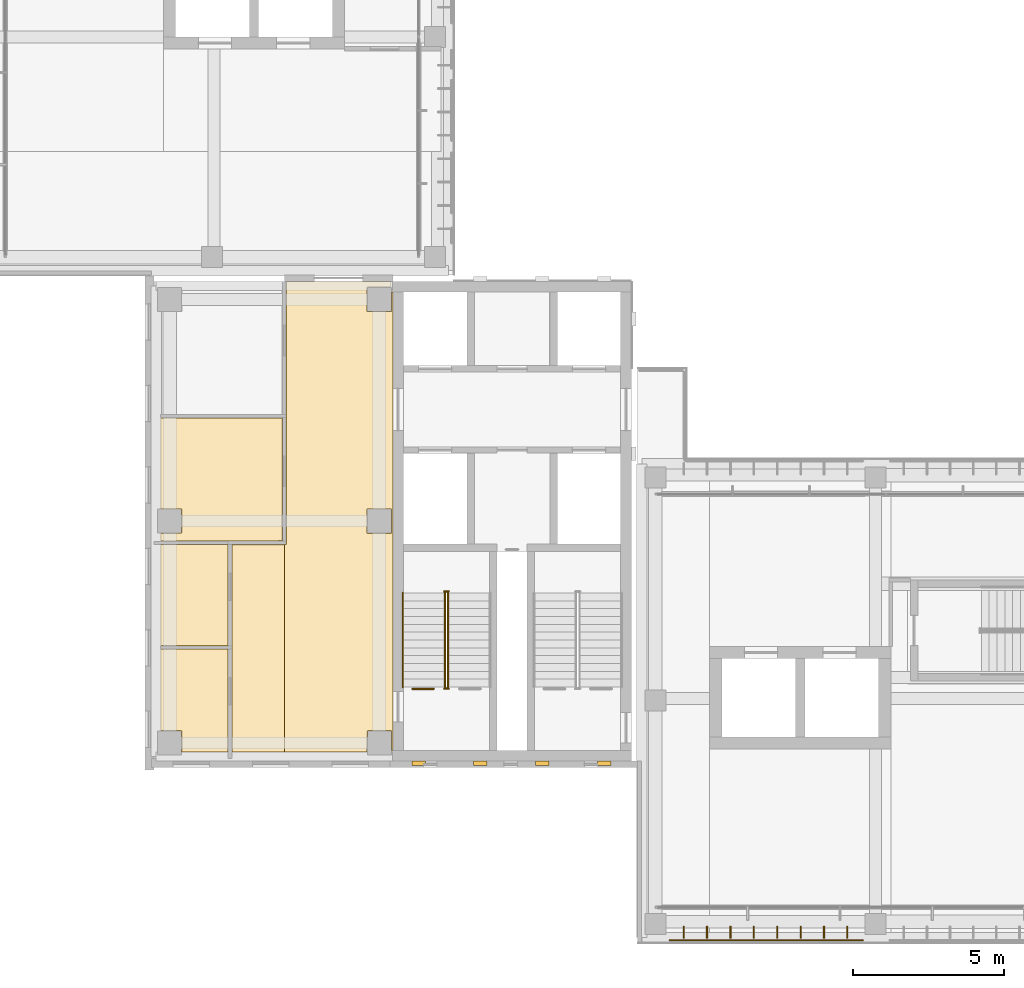
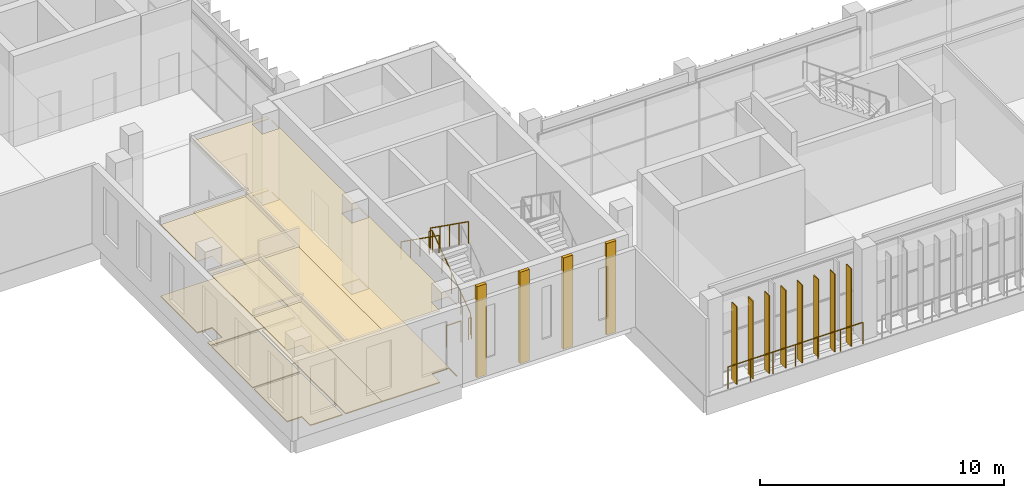
# One storey, part 30 of 46: 14 coverings, 8 shading devices, 7 railings.
"""IFC4 building model written with IfcOpenShell, lengths in metres."""

import ifcopenshell
import ifcopenshell.guid

model = None  # the IFC model being written
_history = None  # IfcOwnerHistory: only IFC2X3 demands one
_inside = {}  # id of a spatial element -> (the spatial element, [elements in it])
_under = {}  # id of a project, library or spatial element -> (it, [spatial elements below it])
_declared = {}  # id of a project -> (the project, [libraries it declares])
_typed = {}  # id of a type object -> (the type object, [elements of that type])
_made_of = {}  # id of a material, layer set ... -> (it, [elements and type objects made of it])


def new_model(schema):
    """Start an empty IFC model of exactly this schema.

    Asked for "IFC4X3", IfcOpenShell would pick the latest addendum, in which some entities
    have other attributes; the version numbers below select the first issue.
    IFC2X3 requires an IfcOwnerHistory on every rooted entity: one is made here for all.
    """
    global model, _history
    if schema == "IFC4X3":
        model = ifcopenshell.file(schema_version=(4, 3, 0, 0))
    else:
        model = ifcopenshell.file(schema=schema)
    _inside.clear()
    _under.clear()
    _declared.clear()
    _typed.clear()
    _made_of.clear()
    _history = None
    if model.schema == "IFC2X3":
        org = make("IfcOrganization", Name="unknown")
        user = make(
            "IfcPersonAndOrganization",
            ThePerson=make("IfcPerson", FamilyName="unknown"),
            TheOrganization=org,
        )
        app = make(
            "IfcApplication",
            ApplicationDeveloper=org,
            Version="unknown",
            ApplicationFullName="unknown",
            ApplicationIdentifier="unknown",
        )
        _history = make(
            "IfcOwnerHistory",
            OwningUser=user,
            OwningApplication=app,
            ChangeAction="ADDED",
            CreationDate=0,
        )
    return model


def make(cls, **values):
    """One entity of the class cls with the attributes given. An attribute that is None is left unset."""
    return model.create_entity(
        cls, **{name: value for name, value in values.items() if value is not None}
    )


def rooted(cls, **values):
    """An entity with a GlobalId (a new one), such as an element, a storey or a relation."""
    return make(cls, GlobalId=ifcopenshell.guid.new(), OwnerHistory=_history, **values)


def si_unit(unit_type, name, prefix=None):
    """IfcSIUnit, for example si_unit("LENGTHUNIT", "METRE", prefix="MILLI")."""
    return make("IfcSIUnit", UnitType=unit_type, Prefix=prefix, Name=name)


def assignment(units):
    """IfcUnitAssignment: the units of a project."""
    return None if units is None else make("IfcUnitAssignment", Units=units)


def point(xyz):
    """IfcCartesianPoint."""
    return None if xyz is None else make("IfcCartesianPoint", Coordinates=xyz)


def direction(xyz):
    """IfcDirection."""
    return None if xyz is None else make("IfcDirection", DirectionRatios=xyz)


def frame(location, z_axis=None, x_axis=None):
    """IfcAxis2Placement3D, a coordinate frame: its origin and axes. An axis left out is left unset."""
    return make(
        "IfcAxis2Placement3D",
        Location=point(location),
        Axis=direction(z_axis),
        RefDirection=direction(x_axis),
    )


def frame_2d(location, x_axis=None):
    """IfcAxis2Placement2D, a coordinate frame in the plane: its origin and x axis."""
    return make(
        "IfcAxis2Placement2D", Location=point(location), RefDirection=direction(x_axis)
    )


def origin():
    """The frame at (0, 0, 0) with its axes left unset."""
    return frame((0.0, 0.0, 0.0))


def origin_2d():
    """The frame at (0, 0) in the plane with its x axis left unset."""
    return frame_2d((0.0, 0.0))


def place(relative_to, where):
    """IfcLocalPlacement: puts the frame where relative to a parent placement (None: the world)."""
    return make(
        "IfcLocalPlacement", PlacementRelTo=relative_to, RelativePlacement=where
    )


def context(
    kind, dimensions, precision=None, world=None, true_north=None, identifier=None
):
    """IfcGeometricRepresentationContext, for example the 3D "Model" context."""
    return make(
        "IfcGeometricRepresentationContext",
        ContextIdentifier=identifier,
        ContextType=kind,
        CoordinateSpaceDimension=dimensions,
        Precision=precision,
        WorldCoordinateSystem=world,
        TrueNorth=true_north,
    )


def subcontext(parent, identifier, kind, view, scale=None):
    """IfcGeometricRepresentationSubContext, for example "Body" below "Model"."""
    return make(
        "IfcGeometricRepresentationSubContext",
        ContextIdentifier=identifier,
        ContextType=kind,
        ParentContext=parent,
        TargetScale=scale,
        TargetView=view,
    )


def project(units=None, contexts=None):
    """IfcProject with its units and contexts."""
    return rooted(
        "IfcProject",
        Name="project",
        RepresentationContexts=contexts,
        UnitsInContext=assignment(units),
    )


def spatial(cls, under=None, at=None, **own):
    """A site, building, storey or space (cls), placed at a placement, below another one or the project."""
    s = rooted(cls, ObjectPlacement=at, **own)
    if under is not None:
        _under.setdefault(under.id(), (under, []))[1].append(s)
    return s


def polyline(points):
    """IfcPolyline through the points."""
    return make("IfcPolyline", Points=[point(p) for p in points])


def profile(cls, at=None, kind="AREA", **sizes):
    """A parametric profile (cls). Its sizes go by their IFC names, for example OverallWidth=200.0."""
    return make(cls, ProfileType=kind, Position=at, **sizes)


def rectangle(**sizes):
    """IfcRectangleProfileDef."""
    return profile("IfcRectangleProfileDef", **sizes)


def circle(**sizes):
    """IfcCircleProfileDef."""
    return profile("IfcCircleProfileDef", **sizes)


def outline(outer, holes=None, kind="AREA"):
    """IfcArbitraryClosedProfileDef: a profile drawn as a closed curve; with holes, ...WithVoids."""
    if holes is None:
        return make("IfcArbitraryClosedProfileDef", ProfileType=kind, OuterCurve=outer)
    return make(
        "IfcArbitraryProfileDefWithVoids",
        ProfileType=kind,
        OuterCurve=outer,
        InnerCurves=holes,
    )


def extrude(swept, where, along, depth):
    """IfcExtrudedAreaSolid: the profile swept, set in the frame where, extruded along a direction by depth."""
    return make(
        "IfcExtrudedAreaSolid",
        SweptArea=swept,
        Position=where,
        ExtrudedDirection=direction(along),
        Depth=depth,
    )


def shape(context_of_items, identifier, shape_type, items):
    """IfcShapeRepresentation: the items that make up one representation, for example the "Body"."""
    return make(
        "IfcShapeRepresentation",
        ContextOfItems=context_of_items,
        RepresentationIdentifier=identifier,
        RepresentationType=shape_type,
        Items=items,
    )


def material(Name=None, Category=None):
    """IfcMaterial."""
    return make("IfcMaterial", Name=Name, Category=Category)


def layer(
    of_material, thickness, ventilated=None, Name=None, Category=None, Priority=None
):
    """IfcMaterialLayer: one layer of a wall or slab, of a material (None: an air gap)."""
    return make(
        "IfcMaterialLayer",
        Material=of_material,
        LayerThickness=thickness,
        IsVentilated=ventilated,
        Name=Name,
        Category=Category,
        Priority=Priority,
    )


def layer_set(layers, Name=None):
    """IfcMaterialLayerSet."""
    return make("IfcMaterialLayerSet", MaterialLayers=layers, LayerSetName=Name)


def made_of(thing, what):
    """Note that an element or type object is made of a material, layer set ...; save() writes the relation."""
    if what is not None:
        _made_of.setdefault(what.id(), (what, []))[1].append(thing)
    return thing


def type_object(cls, material=None, **own):
    """A type object (cls), such as IfcWallType, which elements share."""
    return made_of(rooted(cls, **own), material)


def element(
    cls,
    number,
    at=None,
    inside=None,
    cuts=None,
    type_object=None,
    material=None,
    context=None,
    identifier="Body",
    shape_type=None,
    held_by="IfcProductDefinitionShape",
    body=None,
    shapes=None,
    **own,
):
    """One element of the class cls, such as IfcWall. Its Tag is "e" and its number.

    at: its placement. inside: the storey or other place that contains it. cuts: it is an
    opening in that element (IfcRelVoidsElement). A single representation is given by context,
    identifier, shape_type and body (its items); several are given by shapes. held_by: the class
    of the entity that holds the representations. save() writes the other relations.
    """
    e = rooted(cls, Tag="e%d" % number, ObjectPlacement=at, **own)
    if body is not None:
        shapes = [shape(context, identifier, shape_type, body)]
    if shapes is not None:
        e.Representation = make(held_by, Representations=shapes)
    if inside is not None:
        _inside.setdefault(inside.id(), (inside, []))[1].append(e)
    if cuts is not None:
        rooted(
            "IfcRelVoidsElement", RelatingBuildingElement=cuts, RelatedOpeningElement=e
        )
    if type_object is not None:
        _typed.setdefault(type_object.id(), (type_object, []))[1].append(e)
    return made_of(e, material)


def aggregate(whole, parts):
    """IfcRelAggregates: a whole, such as a stair, and the parts it consists of."""
    return rooted("IfcRelAggregates", RelatingObject=whole, RelatedObjects=parts)


def save(model, path):
    """Write the relations noted so far, then the file.

    IfcRelAggregates (storeys below a building ...), IfcRelContainedInSpatialStructure (elements
    in a storey), IfcRelDefinesByType, IfcRelAssociatesMaterial and IfcRelDeclares: one each for
    every whole, place, type object, material and project.
    """
    for whole, parts in _under.values():
        aggregate(whole, parts)
    for where, things in _inside.values():
        rooted(
            "IfcRelContainedInSpatialStructure",
            RelatedElements=things,
            RelatingStructure=where,
        )
    for kind, things in _typed.values():
        rooted("IfcRelDefinesByType", RelatedObjects=things, RelatingType=kind)
    for what, things in _made_of.values():
        rooted("IfcRelAssociatesMaterial", RelatedObjects=things, RelatingMaterial=what)
    for by, libraries in _declared.values():
        rooted("IfcRelDeclares", RelatingContext=by, RelatedDefinitions=libraries)
    model.write(path)


model = new_model("IFC4")

# Units and contexts
model_context = context("Model", 3, precision=1e-05, world=origin(), true_north=direction((0.0, 1.0)))
body_context = subcontext(model_context, "Body", "Model", "MODEL_VIEW")
ifc_project = project(units=[si_unit("LENGTHUNIT", "METRE"), si_unit("AREAUNIT", "SQUARE_METRE"), si_unit("VOLUMEUNIT", "CUBIC_METRE"), si_unit("PLANEANGLEUNIT", "RADIAN"), si_unit("MASSUNIT", "GRAM", prefix="KILO")], contexts=[model_context])

# Site, building, storey
site_placement = place(None, origin())
site = spatial("IfcSite", under=ifc_project, at=site_placement, CompositionType="ELEMENT")
building_placement = place(site_placement, origin())
building = spatial("IfcBuilding", under=site, at=building_placement, Name="Lantern Court Media Centre", CompositionType="ELEMENT")
storey_placement = place(building_placement, frame((0.0, 0.0, 28.800048828125)))
storey = spatial("IfcBuildingStorey", under=building, at=storey_placement, Name="L06", CompositionType="ELEMENT", Elevation=28.800048828125)

# Coverings
ifc_material_1 = material(Name="Carpet")
ifc_layer_1 = layer(ifc_material_1, 0.050048828125)
ifc_layer_set_1 = layer_set([ifc_layer_1], Name="Carpet")
covering_type_1 = type_object("IfcCoveringType", Name="Carpet floor finish", PredefinedType="FLOORING", material=ifc_layer_set_1)
covering_1_placement = place(storey_placement, origin())
element("IfcCovering", 1, at=covering_1_placement, inside=storey, type_object=covering_type_1, Name="Meeting Room 02 floor finish", PredefinedType="FLOORING", context=body_context, shape_type="SweptSolid", body=[
    extrude(outline(polyline([(8.300048828125, 59.3720703125), (12.33251953125, 59.3720703125), (12.33251953125, 55.300537109375), (8.300048828125, 55.2880859375), (8.300048828125, 55.544921875), (9.0048828125, 55.550048828125), (9.00390625, 56.353271484375), (8.300048828125, 56.35498046875), (8.300048828125, 59.3720703125)])), origin(), (0.0, 0.0, 1.0), 0.050048828125),
])
covering_2_placement = place(storey_placement, origin())
element("IfcCovering", 2, at=covering_2_placement, inside=storey, type_object=covering_type_1, Name="WC Male floor finish", PredefinedType="FLOORING", context=body_context, shape_type="SweptSolid", body=[
    extrude(outline(polyline([(8.300048828125, 51.7119140625), (10.532470703125, 51.7119140625), (10.532470703125, 48.300048828125), (9.0048828125, 48.300048828125), (9.00341796875, 49.00341796875), (8.300048828125, 49.0048828125), (8.300048828125, 51.7119140625)])), origin(), (0.0, 0.0, 1.0), 0.050048828125),
])
covering_3_placement = place(storey_placement, origin())
element("IfcCovering", 3, at=covering_3_placement, inside=storey, type_object=covering_type_1, Name="WC Female floor finish", PredefinedType="FLOORING", context=body_context, shape_type="SweptSolid", body=[
    extrude(outline(polyline([(8.300048828125, 55.177978515625), (10.532470703125, 55.177978515625), (10.532470703125, 51.822021484375), (8.300048828125, 51.822021484375), (8.300048828125, 55.177978515625)])), origin(), (0.0, 0.0, 1.0), 0.050048828125),
])

# Railings
ifc_material_2 = material(Name="Powder-coated steel", Category="steel")
railing_type_1 = type_object("IfcRailingType", Name="Floor edge guard 1100", PredefinedType="GUARDRAIL", material=ifc_material_2)
railing_1_placement = place(storey_placement, frame((17.353759765625, 50.390380859375, 0.0)))
element("IfcRailing", 4, at=railing_1_placement, inside=storey, type_object=railing_type_1, Name="L06 opening guard 143", PredefinedType="GUARDRAIL", context=body_context, shape_type="SweptSolid", body=[
    extrude(circle(Radius=0.02392578125, at=origin_2d()), frame((0.0, 0.0, 1.076171875), z_axis=(-1.0, 0.0, 0.0), x_axis=(0.0, -1.0, 0.0)), (0.0, 0.0, 1.0), 0.703857421875),
    extrude(circle(Radius=0.02099609375, at=origin_2d()), origin(), (0.0, 0.0, 1.0), 1.052001953125),
    extrude(circle(Radius=0.02099609375, at=origin_2d()), frame((-0.703857421875, 0.0, 0.0)), (0.0, 0.0, 1.0), 1.052001953125),
])
railing_2_placement = place(storey_placement, frame((31.572998046875, 42.06005859375, 0.0)))
element("IfcRailing", 5, at=railing_2_placement, inside=storey, type_object=railing_type_1, Name="L06 edge guard 233", PredefinedType="GUARDRAIL", context=body_context, shape_type="SweptSolid", body=[
    extrude(circle(Radius=0.02392578125, at=origin_2d()), frame((0.0, 0.0, 1.076171875), z_axis=(-1.0, 0.0, 0.0), x_axis=(0.0, -1.0, 0.0)), (0.0, 0.0, 1.0), 6.39794921875),
    extrude(circle(Radius=0.02099609375, at=origin_2d()), origin(), (0.0, 0.0, 1.0), 1.052001953125),
    extrude(circle(Radius=0.02099609375, at=origin_2d()), frame((-1.06640625, 0.0, 0.0)), (0.0, 0.0, 1.0), 1.052001953125),
    extrude(circle(Radius=0.02099609375, at=origin_2d()), frame((-2.132568359375, 0.0, 0.0)), (0.0, 0.0, 1.0), 1.052001953125),
    extrude(circle(Radius=0.02099609375, at=origin_2d()), frame((-3.198974609375, 0.0, 0.0)), (0.0, 0.0, 1.0), 1.052001953125),
    extrude(circle(Radius=0.02099609375, at=origin_2d()), frame((-4.265380859375, 0.0, 0.0)), (0.0, 0.0, 1.0), 1.052001953125),
    extrude(circle(Radius=0.02099609375, at=origin_2d()), frame((-5.33154296875, 0.0, 0.0)), (0.0, 0.0, 1.0), 1.052001953125),
    extrude(circle(Radius=0.02099609375, at=origin_2d()), frame((-6.39794921875, 0.0, 0.0)), (0.0, 0.0, 1.0), 1.052001953125),
])

# Coverings
ifc_material_3 = material(Name="Honed limestone cladding", Category="masonry")
ifc_layer_2 = layer(ifc_material_3, 0.14990234375)
ifc_layer_set_2 = layer_set([ifc_layer_2], Name="Honed limestone cladding")
covering_type_2 = type_object("IfcCoveringType", Name="Limestone pilaster cladding 150", PredefinedType="CLADDING", material=ifc_layer_set_2)
for number, where, z_axis, x_axis, name in (
    (6, (16.625, 47.925048828125, 0.0), (0.0, 0.0, 1.0), (1.0, 0.0, 0.0), "Limestone pilaster rib"),
    (7, (18.675048828125, 47.925048828125, 0.0), (0.0, 0.0, 1.0), (1.0, 0.0, 0.0), "Limestone pilaster rib"),
    (8, (20.72509765625, 47.925048828125, 0.0), (0.0, 0.0, 1.0), (1.0, 0.0, 0.0), "Limestone pilaster rib"),
):
    element("IfcCovering", number, at=place(storey_placement, frame(where, z_axis=z_axis, x_axis=x_axis)), inside=storey, type_object=covering_type_2, Name=name, PredefinedType="CLADDING", context=body_context, shape_type="SweptSolid", body=[
        extrude(rectangle(XDim=0.449951171875, YDim=0.14990234375, at=frame_2d((0.22509765625, 0.0))), origin(), (0.0, 0.0, 1.0), 4.579833984375),
    ])
covering_4_placement = place(storey_placement, frame((22.77490234375, 47.925048828125, 0.0), z_axis=(0.0, 0.0, 1.0), x_axis=(1.0, 0.0, 0.0)))
element("IfcCovering", 9, at=covering_4_placement, inside=storey, type_object=covering_type_2, Name="Limestone pilaster rib", PredefinedType="CLADDING", context=body_context, shape_type="SweptSolid", body=[
    extrude(rectangle(XDim=0.4501953125, YDim=0.14990234375, at=frame_2d((0.22509765625, 0.0))), origin(), (0.0, 0.0, 1.0), 4.579833984375),
])

# Railings
railing_type_2 = type_object("IfcRailingType", Name="Stair guard 1100", PredefinedType="GUARDRAIL", material=ifc_material_2)
railing_3_placement = place(storey_placement, frame((17.825927734375, 50.449951171875, 0.1845703125)))
element("IfcRailing", 10, at=railing_3_placement, inside=storey, type_object=railing_type_2, Name="L06 ST-SWA stair guard 1", PredefinedType="GUARDRAIL", context=body_context, shape_type="SweptSolid", body=[
    extrude(circle(Radius=0.02392578125, at=origin_2d()), frame((0.0, 0.0, 1.076171875), z_axis=(0.0, 0.815376961211, 0.578930402662), x_axis=(-1.0, 0.0, 0.0)), (0.0, 0.0, 1.0), 3.82666015625),
    extrude(circle(Radius=0.02099609375, at=origin_2d()), origin(), (0.0, 0.0, 1.0), 1.052001953125),
    extrude(circle(Radius=0.02099609375, at=origin_2d()), frame((0.0, 0.780029296875, 0.5537109375)), (0.0, 0.0, 1.0), 1.052001953125),
    extrude(circle(Radius=0.02099609375, at=origin_2d()), frame((0.0, 1.56005859375, 1.107666015625)), (0.0, 0.0, 1.0), 1.052001953125),
    extrude(circle(Radius=0.02099609375, at=origin_2d()), frame((0.0, 2.340087890625, 1.66162109375)), (0.0, 0.0, 1.0), 1.052001953125),
    extrude(circle(Radius=0.02099609375, at=origin_2d()), frame((0.0, 3.1201171875, 2.21533203125)), (0.0, 0.0, 1.0), 1.052001953125),
])
railing_4_placement = place(storey_placement, frame((17.85009765625, 53.6201171875, 2.39990234375)))
element("IfcRailing", 11, at=railing_4_placement, inside=storey, type_object=railing_type_2, Name="L06 ST-SWA stair guard 2", PredefinedType="GUARDRAIL", context=body_context, shape_type="SweptSolid", body=[
    extrude(circle(Radius=0.02392578125, at=origin_2d()), frame((0.0, 0.0, 1.076171875), z_axis=(-1.0, 0.0, 0.0), x_axis=(0.0, -1.0, 0.0)), (0.0, 0.0, 1.0), 0.150146484375),
    extrude(circle(Radius=0.02099609375, at=origin_2d()), origin(), (0.0, 0.0, 1.0), 1.052001953125),
    extrude(circle(Radius=0.02099609375, at=origin_2d()), frame((-0.150146484375, 0.0, 0.0)), (0.0, 0.0, 1.0), 1.052001953125),
])
railing_5_placement = place(storey_placement, frame((17.72412109375, 53.570068359375, 2.58447265625)))
element("IfcRailing", 12, at=railing_5_placement, inside=storey, type_object=railing_type_2, Name="L06 ST-SWA stair guard 3", PredefinedType="GUARDRAIL", context=body_context, shape_type="SweptSolid", body=[
    extrude(circle(Radius=0.02392578125, at=origin_2d()), frame((0.0, 0.0, 1.076171875), z_axis=(0.0, -0.815346844174, 0.578972817752), x_axis=(1.0, 0.0, 0.0)), (0.0, 0.0, 1.0), 3.82666015625),
    extrude(circle(Radius=0.02099609375, at=origin_2d()), origin(), (0.0, 0.0, 1.0), 1.052001953125),
    extrude(circle(Radius=0.02099609375, at=origin_2d()), frame((0.0, -0.780029296875, 0.553955078125)), (0.0, 0.0, 1.0), 1.052001953125),
    extrude(circle(Radius=0.02099609375, at=origin_2d()), frame((0.0, -1.56005859375, 1.10791015625)), (0.0, 0.0, 1.0), 1.052001953125),
    extrude(circle(Radius=0.02099609375, at=origin_2d()), frame((0.0, -2.340087890625, 1.66162109375)), (0.0, 0.0, 1.0), 1.052001953125),
    extrude(circle(Radius=0.02099609375, at=origin_2d()), frame((0.0, -3.1201171875, 2.215576171875)), (0.0, 0.0, 1.0), 1.052001953125),
])
railing_6_placement = place(storey_placement, frame((17.85009765625, 50.39990234375, 0.0)))
element("IfcRailing", 13, at=railing_6_placement, inside=storey, type_object=railing_type_2, Name="L06 ST-SWA stair guard 4", PredefinedType="GUARDRAIL", context=body_context, shape_type="SweptSolid", body=[
    extrude(circle(Radius=0.02392578125, at=origin_2d()), frame((0.0, 0.0, 1.076171875), z_axis=(-1.0, 0.0, 0.0), x_axis=(0.0, -1.0, 0.0)), (0.0, 0.0, 1.0), 0.150146484375),
    extrude(circle(Radius=0.02099609375, at=origin_2d()), origin(), (0.0, 0.0, 1.0), 1.052001953125),
    extrude(circle(Radius=0.02099609375, at=origin_2d()), frame((-0.150146484375, 0.0, 0.0)), (0.0, 0.0, 1.0), 1.052001953125),
])
railing_type_3 = type_object("IfcRailingType", Name="Stair handrail 900", PredefinedType="HANDRAIL", material=ifc_material_2)
railing_7_placement = place(storey_placement, frame((16.325927734375, 53.570068359375, 2.58447265625)))
element("IfcRailing", 14, at=railing_7_placement, inside=storey, type_object=railing_type_3, Name="L06 ST-SWA stair handrail 2", PredefinedType="HANDRAIL", context=body_context, shape_type="SweptSolid", body=[
    extrude(circle(Radius=0.02392578125, at=origin_2d()), frame((0.0, 0.0, 0.8759765625), z_axis=(0.0, -0.815346844174, 0.578972817752), x_axis=(1.0, 0.0, 0.0)), (0.0, 0.0, 1.0), 3.82666015625),
    extrude(circle(Radius=0.02099609375, at=origin_2d()), origin(), (0.0, 0.0, 1.0), 0.851806640625),
    extrude(circle(Radius=0.02099609375, at=origin_2d()), frame((0.0, -0.780029296875, 0.553955078125)), (0.0, 0.0, 1.0), 0.851806640625),
    extrude(circle(Radius=0.02099609375, at=origin_2d()), frame((0.0, -1.56005859375, 1.10791015625)), (0.0, 0.0, 1.0), 0.851806640625),
    extrude(circle(Radius=0.02099609375, at=origin_2d()), frame((0.0, -2.340087890625, 1.66162109375)), (0.0, 0.0, 1.0), 0.851806640625),
    extrude(circle(Radius=0.02099609375, at=origin_2d()), frame((0.0, -3.1201171875, 2.215576171875)), (0.0, 0.0, 1.0), 0.851806640625),
])

# Coverings
ifc_material_4 = material(Name="Mineral fibre ceiling tile")
ifc_layer_3 = layer(ifc_material_4, 0.02001953125)
ifc_layer_set_3 = layer_set([ifc_layer_3], Name="Mineral fibre ceiling tile")
covering_type_3 = type_object("IfcCoveringType", Name="Suspended ceiling tile", PredefinedType="CEILING", material=ifc_layer_set_3)
covering_5_placement = place(storey_placement, frame((0.0, 0.0, 3.599853515625)))
element("IfcCovering", 15, at=covering_5_placement, inside=storey, type_object=covering_type_3, Name="Corridor ceiling", PredefinedType="CEILING", context=body_context, shape_type="SweptSolid", body=[
    extrude(outline(polyline([(12.39990234375, 48.300048828125), (12.39990234375, 55.169921875), (12.462890625, 55.17041015625), (12.462890625, 63.8994140625), (15.949462890625, 63.8994140625), (15.949462890625, 63.700439453125), (15.149658203125, 63.700439453125), (15.1494140625, 62.89990234375), (15.950439453125, 62.899658203125), (15.950439453125, 63.549560546875), (15.99951171875, 63.549560546875), (15.99951171875, 48.3505859375), (15.950439453125, 48.3505859375), (15.950439453125, 49.00048828125), (15.14990234375, 49.00048828125), (15.1494140625, 48.300048828125), (12.39990234375, 48.300048828125)]), holes=[polyline([(15.950439453125, 56.35009765625), (15.149658203125, 56.350341796875), (15.149658203125, 55.549560546875), (15.950439453125, 55.549560546875), (15.950439453125, 56.35009765625)])]), origin(), (0.0, 0.0, 1.0), 0.02001953125),
])
covering_6_placement = place(storey_placement, frame((0.0, 0.0, 3.599853515625)))
element("IfcCovering", 16, at=covering_6_placement, inside=storey, type_object=covering_type_3, Name="Meeting Room 02 ceiling", PredefinedType="CEILING", context=body_context, shape_type="SweptSolid", body=[
    extrude(outline(polyline([(8.300048828125, 59.37646484375), (12.3369140625, 59.37646484375), (12.3369140625, 55.2958984375), (8.300048828125, 55.283447265625), (8.300048828125, 55.549560546875), (9.00048828125, 55.550048828125), (9.00048828125, 56.350341796875), (8.300048828125, 56.3505859375), (8.300048828125, 59.37646484375)])), origin(), (0.0, 0.0, 1.0), 0.02001953125),
])
covering_7_placement = place(storey_placement, frame((0.0, 0.0, 3.599853515625)))
element("IfcCovering", 17, at=covering_7_placement, inside=storey, type_object=covering_type_3, Name="WC Lobby ceiling", PredefinedType="CEILING", context=body_context, shape_type="SweptSolid", body=[
    extrude(outline(polyline([(12.39990234375, 48.300048828125), (10.6630859375, 48.300048828125), (10.6630859375, 55.169921875), (12.39990234375, 55.169921875), (12.39990234375, 48.300048828125)])), origin(), (0.0, 0.0, 1.0), 0.02001953125),
])
covering_8_placement = place(storey_placement, frame((0.0, 0.0, 3.599853515625)))
element("IfcCovering", 18, at=covering_8_placement, inside=storey, type_object=covering_type_3, Name="WC Male ceiling", PredefinedType="CEILING", context=body_context, shape_type="SweptSolid", body=[
    extrude(outline(polyline([(8.300048828125, 51.716552734375), (10.537109375, 51.716552734375), (10.537109375, 48.300048828125), (9.00048828125, 48.300048828125), (9.000244140625, 49.000244140625), (8.300048828125, 49.00048828125), (8.300048828125, 51.716552734375)])), origin(), (0.0, 0.0, 1.0), 0.02001953125),
])
covering_9_placement = place(storey_placement, frame((0.0, 0.0, 3.599853515625)))
element("IfcCovering", 19, at=covering_9_placement, inside=storey, type_object=covering_type_3, Name="WC Female ceiling", PredefinedType="CEILING", context=body_context, shape_type="SweptSolid", body=[
    extrude(outline(polyline([(8.300048828125, 55.1826171875), (10.537109375, 55.1826171875), (10.537109375, 51.8173828125), (8.300048828125, 51.8173828125), (8.300048828125, 55.1826171875)])), origin(), (0.0, 0.0, 1.0), 0.02001953125),
])
ifc_material_5 = material(Name="Terrazzo")
ifc_layer_4 = layer(ifc_material_5, 0.050048828125)
ifc_layer_set_4 = layer_set([ifc_layer_4], Name="Terrazzo")
covering_type_4 = type_object("IfcCoveringType", Name="Terrazzo floor finish", PredefinedType="FLOORING", material=ifc_layer_set_4)
covering_10_placement = place(storey_placement, origin())
element("IfcCovering", 20, at=covering_10_placement, inside=storey, type_object=covering_type_4, Name="Corridor floor finish", PredefinedType="FLOORING", context=body_context, shape_type="SweptSolid", body=[
    extrude(outline(polyline([(12.39990234375, 48.300048828125), (12.39990234375, 55.16552734375), (12.467529296875, 55.17041015625), (12.467529296875, 63.89501953125), (15.945068359375, 63.89501953125), (15.945068359375, 63.705078125), (15.146240234375, 63.703125), (15.14501953125, 62.89990234375), (15.953125, 62.896240234375), (15.955078125, 63.544921875), (15.9951171875, 63.544921875), (15.9951171875, 48.35498046875), (15.955078125, 48.35498046875), (15.953125, 49.00390625), (15.14990234375, 49.0048828125), (15.14501953125, 48.300048828125), (12.39990234375, 48.300048828125)]), holes=[polyline([(15.949951171875, 55.544921875), (15.95361328125, 56.353515625), (15.146484375, 56.353515625), (15.146484375, 55.54638671875), (15.949951171875, 55.544921875)])]), origin(), (0.0, 0.0, 1.0), 0.050048828125),
])
covering_11_placement = place(storey_placement, origin())
element("IfcCovering", 21, at=covering_11_placement, inside=storey, type_object=covering_type_4, Name="WC Lobby floor finish", PredefinedType="FLOORING", context=body_context, shape_type="SweptSolid", body=[
    extrude(outline(polyline([(12.39990234375, 48.300048828125), (10.66748046875, 48.300048828125), (10.66748046875, 55.16552734375), (12.39990234375, 55.16552734375), (12.39990234375, 48.300048828125)])), origin(), (0.0, 0.0, 1.0), 0.050048828125),
])

# Shading devices
ifc_material_6 = material(Name="Bronze anodised aluminium louvre", Category="aluminium")
ifc_layer_5 = layer(ifc_material_6, 0.0400390625)
ifc_layer_set_5 = layer_set([ifc_layer_5], Name="Bronze anodised aluminium louvre")
shading_device_type = type_object("IfcShadingDeviceType", Name="Vertical louvre 40x400 under beam", PredefinedType="USERDEFINED", material=ifc_layer_set_5)
for number, where, z_axis, x_axis, name in (
    (22, (25.637451171875, 42.320068359375, 0.0), (0.0, 0.0, 1.0), (1.0, 0.0, 0.0), "Vertical louvre S outer L06"),
    (23, (26.41259765625, 42.320068359375, 0.0), (0.0, 0.0, 1.0), (1.0, 0.0, 0.0), "Vertical louvre S outer L06"),
    (24, (27.1875, 42.320068359375, 0.0), (0.0, 0.0, 1.0), (1.0, 0.0, 0.0), "Vertical louvre S outer L06"),
    (25, (27.96240234375, 42.320068359375, 0.0), (0.0, 0.0, 1.0), (1.0, 0.0, 0.0), "Vertical louvre S outer L06"),
    (26, (28.737548828125, 42.320068359375, 0.0), (0.0, 0.0, 1.0), (1.0, 0.0, 0.0), "Vertical louvre S outer L06"),
    (27, (29.512451171875, 42.320068359375, 0.0), (0.0, 0.0, 1.0), (1.0, 0.0, 0.0), "Vertical louvre S outer L06"),
    (28, (30.28759765625, 42.320068359375, 0.0), (0.0, 0.0, 1.0), (1.0, 0.0, 0.0), "Vertical louvre S outer L06"),
    (29, (31.0625, 42.320068359375, 0.0), (0.0, 0.0, 1.0), (1.0, 0.0, 0.0), "Vertical louvre S outer L06"),
):
    element("IfcShadingDevice", number, at=place(storey_placement, frame(where, z_axis=z_axis, x_axis=x_axis)), inside=storey, type_object=shading_device_type, Name=name, ObjectType="VERTICAL LOUVRE", PredefinedType="USERDEFINED", context=body_context, shape_type="SweptSolid", body=[
        extrude(rectangle(XDim=0.0400390625, YDim=0.39990234375, at=origin_2d()), origin(), (0.0, 0.0, 1.0), 3.89990234375),
    ])

save(model, "model.ifc")
